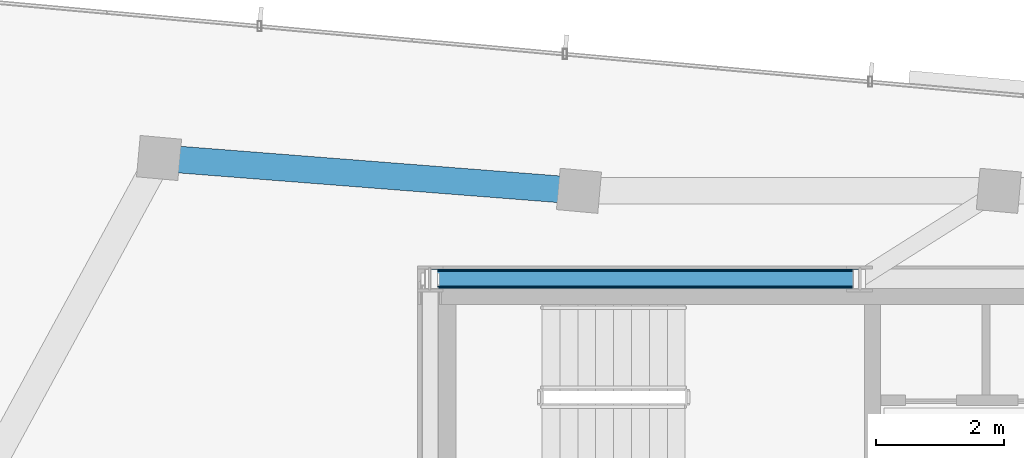
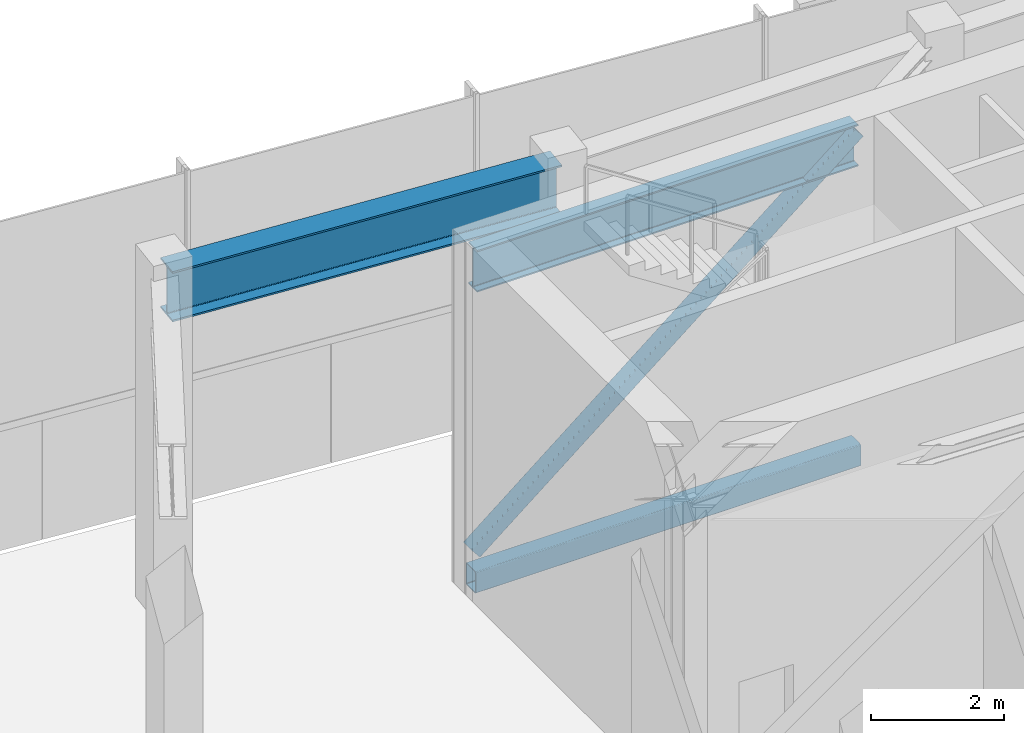
# One storey, part 5 of 19: 2 beams, 2 members.
"""IFC4 building model written with IfcOpenShell, lengths in metres."""

from ifc_helpers import new_model, si_unit, direction, frame, origin, origin_2d, place, context, subcontext, project, spatial, hollow_rectangle, i_section, extrude, source, transform, mapped, material, material_profile, profile_set, type_object, type_shapes, element, save


model = new_model("IFC4")

# Units and contexts
model_context = context("Model", 3, precision=1e-05, world=origin(), true_north=direction((0.0, 1.0)))
body_context = subcontext(model_context, "Body", "Model", "MODEL_VIEW")
ifc_project = project(units=[si_unit("LENGTHUNIT", "METRE"), si_unit("AREAUNIT", "SQUARE_METRE"), si_unit("VOLUMEUNIT", "CUBIC_METRE"), si_unit("PLANEANGLEUNIT", "RADIAN"), si_unit("MASSUNIT", "GRAM", prefix="KILO")], contexts=[model_context])

# Site, building, storey
site_placement = place(None, origin())
site = spatial("IfcSite", under=ifc_project, at=site_placement, CompositionType="ELEMENT")
building_placement = place(site_placement, origin())
building = spatial("IfcBuilding", under=site, at=building_placement, Name="Astriad Promenade Condominiums", CompositionType="ELEMENT")
storey_placement = place(building_placement, frame((0.0, 0.0, 283.800048828125)))
storey = spatial("IfcBuildingStorey", under=building, at=storey_placement, Name="L79", CompositionType="ELEMENT", Elevation=283.800048828125)

# Beams
ifc_material_1 = material(Name="Steel ASTM A992 Grade 50", Category="steel")
ifc_material_profile_1 = material_profile(ifc_material_1, i_section(OverallWidth=0.267822265625, OverallDepth=0.76953125, WebThickness=0.015625, FlangeThickness=0.025390625, FilletRadius=0.021484375, at=origin_2d()), Name="W30X132")
ifc_profile_set_1 = profile_set([ifc_material_profile_1], Name="Steel ASTM A992 Grade 50")
beam_type_1 = type_object("IfcBeamType", Name="STEEL FLOOR GIRDER W30X132", PredefinedType="BEAM", material=ifc_profile_set_1)
shared_shape_1 = source(origin(), body_context, "Body", "SweptSolid", [
    extrude(i_section(OverallWidth=0.267822265625, OverallDepth=0.76953125, WebThickness=0.015625, FlangeThickness=0.025390625, FilletRadius=0.021484375, at=origin_2d()), origin(), (0.0, 0.0, 1.0), 6.64013671875),
])
type_shapes(beam_type_1, [shared_shape_1])
beam_1_placement = place(storey_placement, frame((26.43994140625, 24.0, 5.835205078125), z_axis=(1.0, 0.0, 0.0), x_axis=(0.0, 1.0, 0.0)))
element("IfcBeam", 1, at=beam_1_placement, inside=storey, type_object=beam_type_1, Name="Core Ring Beam CG-N1-L79", PredefinedType="BEAM", context=body_context, shape_type="MappedRepresentation", body=[
    mapped(shared_shape_1, transform((0.0, 0.0, 0.0), scale=1.0)),
])
ifc_material_profile_2 = material_profile(ifc_material_1, i_section(OverallWidth=0.418212890625, OverallDepth=0.926513671875, WebThickness=0.019287109375, FlangeThickness=0.031982421875, FilletRadius=0.024169921875, at=origin_2d()), Name="W36X231")
ifc_profile_set_2 = profile_set([ifc_material_profile_2], Name="Steel ASTM A992 Grade 50")
beam_type_2 = type_object("IfcBeamType", Name="STEEL CROWN RING BEAM W36X231", PredefinedType="BEAM", material=ifc_profile_set_2)
shared_shape_2 = source(origin(), body_context, "Body", "SweptSolid", [
    extrude(i_section(OverallWidth=0.418212890625, OverallDepth=0.926513671875, WebThickness=0.019287109375, FlangeThickness=0.031982421875, FilletRadius=0.024169921875, at=origin_2d()), origin(), (0.0, 0.0, 1.0), 6.5126953125),
])
type_shapes(beam_type_2, [shared_shape_2])
beam_2_placement = place(storey_placement, frame((28.6875, 25.383056640625, 5.756591796875), z_axis=(-0.996961368095, 0.077897564313, 0.0), x_axis=(-0.077897564313, -0.996961368095, 0.0)))
element("IfcBeam", 2, at=beam_2_placement, inside=storey, type_object=beam_type_2, Name="Perimeter Spandrel Beam SP-N1-L79", PredefinedType="BEAM", context=body_context, shape_type="MappedRepresentation", body=[
    mapped(shared_shape_2, transform((0.0, 0.0, 0.0), scale=1.0)),
])

# Members
ifc_material_2 = material(Name="Steel ASTM A500 Grade C", Category="steel")
ifc_material_profile_3 = material_profile(ifc_material_2, hollow_rectangle(XDim=0.3046875, YDim=0.406494140625, WallThickness=0.014892578125, InnerFilletRadius=0.014892578125, OuterFilletRadius=0.029541015625, at=origin_2d()), Name="HSS406X305X15.9")
ifc_profile_set_3 = profile_set([ifc_material_profile_3], Name="Steel ASTM A500 Grade C")
member_type_1 = type_object("IfcMemberType", Name="HSS CROWN RING CHORD 406X305", PredefinedType="CHORD", material=ifc_profile_set_3)
shared_shape_3 = source(origin(), body_context, "Body", "SweptSolid", [
    extrude(hollow_rectangle(XDim=0.3046875, YDim=0.406494140625, WallThickness=0.014892578125, InnerFilletRadius=0.014892578125, OuterFilletRadius=0.029541015625, at=origin_2d()), origin(), (0.0, 0.0, 1.0), 6.7099609375),
])
type_shapes(member_type_1, [shared_shape_3])
member_1_placement = place(storey_placement, frame((26.405029296875, 24.0, 0.119873046875), z_axis=(1.0, 0.0, 0.0), x_axis=(0.0, 1.0, 0.0)))
element("IfcMember", 3, at=member_1_placement, inside=storey, type_object=member_type_1, Name="Crown Ring Interior Chord HCHORD-L79-01", PredefinedType="CHORD", context=body_context, shape_type="MappedRepresentation", body=[
    mapped(shared_shape_3, transform((0.0, 0.0, 0.0), scale=1.0)),
])
ifc_material_profile_4 = material_profile(ifc_material_2, hollow_rectangle(XDim=0.25390625, YDim=0.25390625, WallThickness=0.01171875, InnerFilletRadius=0.01171875, OuterFilletRadius=0.023681640625, at=origin_2d()), Name="HSS254X254X12.7")
ifc_profile_set_4 = profile_set([ifc_material_profile_4], Name="Steel ASTM A500 Grade C")
member_type_2 = type_object("IfcMemberType", Name="HSS CROWN RING DIAGONAL 254X254", PredefinedType="BRACE", material=ifc_profile_set_4)
shared_shape_4 = source(origin(), body_context, "Body", "SweptSolid", [
    extrude(hollow_rectangle(XDim=0.25390625, YDim=0.25390625, WallThickness=0.01171875, InnerFilletRadius=0.01171875, OuterFilletRadius=0.023681640625, at=origin_2d()), origin(), (0.0, 0.0, 1.0), 8.602294921875),
])
type_shapes(member_type_2, [shared_shape_4])
member_2_placement = place(storey_placement, frame((26.41943359375, 24.0, 0.6357421875), z_axis=(0.776681444214, 0.0, 0.629893589596), x_axis=(0.0, 1.0, 0.0)))
element("IfcMember", 4, at=member_2_placement, inside=storey, type_object=member_type_2, Name="Crown Ring Interior Brace HBRACE-L79-01", PredefinedType="BRACE", context=body_context, shape_type="MappedRepresentation", body=[
    mapped(shared_shape_4, transform((0.0, 0.0, 0.0), scale=1.0)),
])

save(model, "model.ifc")
